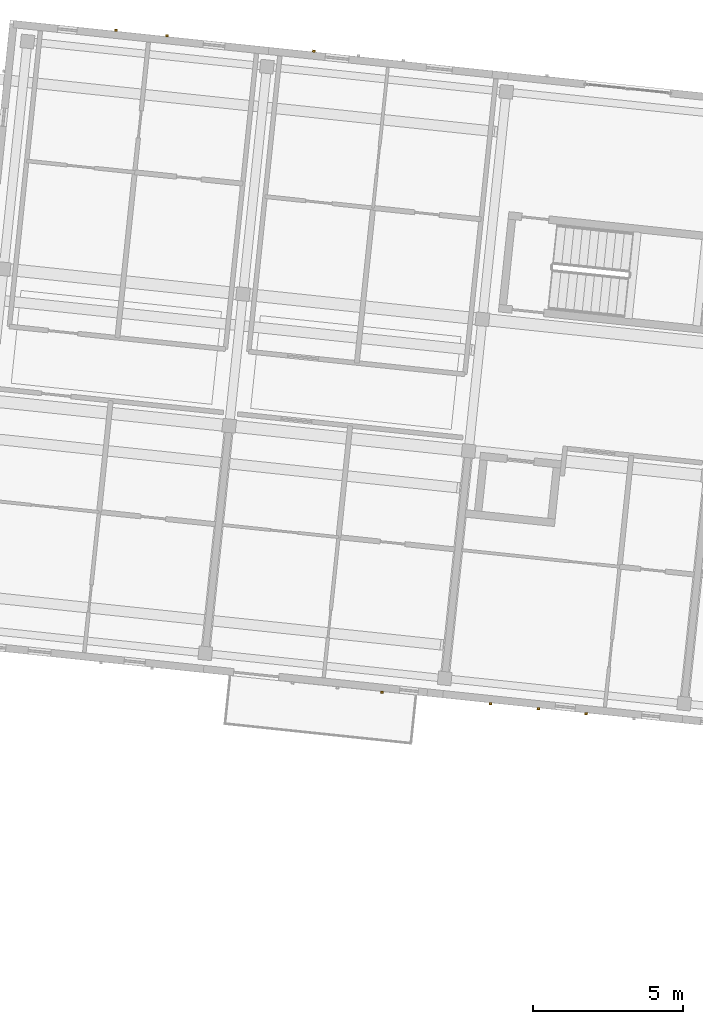
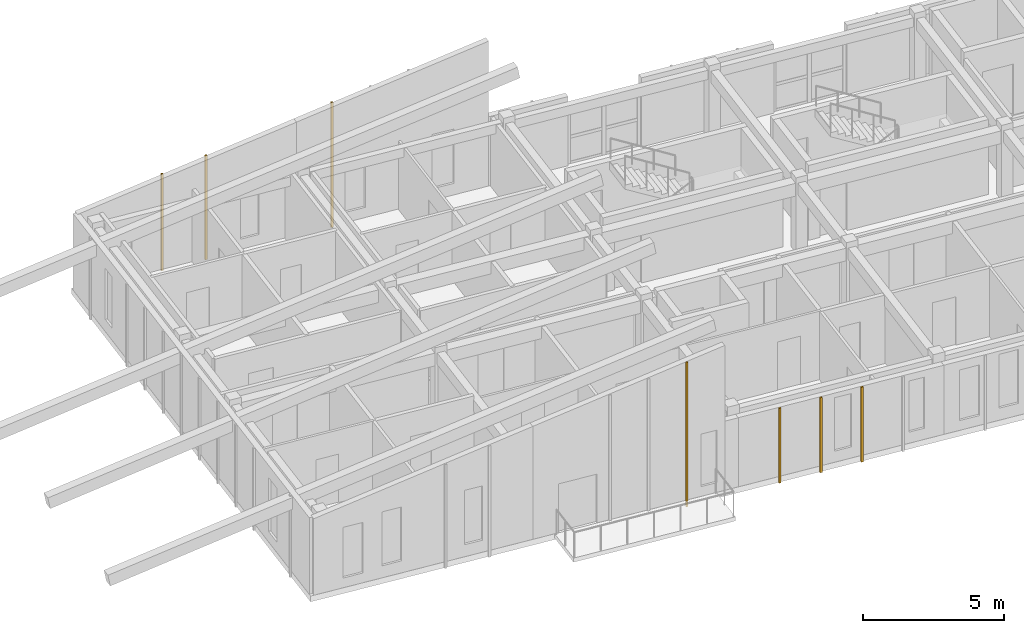
# One storey, part 30 of 34: 7 coverings.
"""IFC4 building model written with IfcOpenShell, lengths in metres."""

from ifc_helpers import new_model, si_unit, direction, frame, origin, origin_2d, place, context, subcontext, project, spatial, rectangle, extrude, material, layer, layer_set, type_object, element, save


model = new_model("IFC4")

# Units and contexts
model_context = context("Model", 3, precision=1e-05, world=origin(), true_north=direction((0.0, 1.0)))
body_context = subcontext(model_context, "Body", "Model", "MODEL_VIEW")
ifc_project = project(units=[si_unit("LENGTHUNIT", "METRE"), si_unit("AREAUNIT", "SQUARE_METRE"), si_unit("VOLUMEUNIT", "CUBIC_METRE"), si_unit("PLANEANGLEUNIT", "RADIAN"), si_unit("MASSUNIT", "GRAM", prefix="KILO")], contexts=[model_context])

# Site, building, storey
site_placement = place(None, origin())
site = spatial("IfcSite", under=ifc_project, at=site_placement, CompositionType="ELEMENT")
building_placement = place(site_placement, origin())
building = spatial("IfcBuilding", under=site, at=building_placement, Name="Kestramere Prow Commons", CompositionType="ELEMENT")
storey_placement = place(building_placement, frame((0.0, 0.0, 34.39990234375)))
storey = spatial("IfcBuildingStorey", under=building, at=storey_placement, Name="L10", CompositionType="ELEMENT", Elevation=34.39990234375)

# Coverings
ifc_material = material(Name="Weathered Zinc-Titanium Standing-Seam Cladding")
ifc_layer = layer(ifc_material, 0.074951171875)
ifc_layer_set = layer_set([ifc_layer], Name="Weathered Zinc-Titanium Standing-Seam Cladding")
covering_type = type_object("IfcCoveringType", Name="COV-CLAD-SEAM", PredefinedType="CLADDING", material=ifc_layer_set)
covering_1_placement = place(storey_placement, frame((131.788818359375, 91.82861328125, -0.25), z_axis=(0.0, 0.0, 1.0), x_axis=(-0.994521895368, 0.104528463268, 0.0)))
element("IfcCovering", 1, at=covering_1_placement, inside=storey, type_object=covering_type, Name="EW-B-L10-S-2 Standing-Seam Rib 1", PredefinedType="CLADDING", context=body_context, shape_type="SweptSolid", body=[
    extrude(rectangle(XDim=0.0849609375, YDim=0.06494140625, at=origin_2d()), origin(), (0.0, 0.0, 1.0), 6.26025390625),
])
for number, where, z_axis, x_axis, name in (
    (2, (138.5712890625, 91.11572265625, -0.25), (0.0, 0.0, 1.0), (-0.994521895368, 0.104528463268, 0.0), "EW-B-L10-S-3 Standing-Seam Rib 2"),
    (3, (136.980224609375, 91.282958984375, -0.25), (0.0, 0.0, 1.0), (-0.994521895368, 0.104528463268, 0.0), "EW-B-L10-S-3 Standing-Seam Rib 3"),
    (4, (135.388916015625, 91.4501953125, -0.25), (0.0, 0.0, 1.0), (-0.994521895368, 0.104528463268, 0.0), "EW-B-L10-S-3 Standing-Seam Rib 4"),
):
    element("IfcCovering", number, at=place(storey_placement, frame(where, z_axis=z_axis, x_axis=x_axis)), inside=storey, type_object=covering_type, Name=name, PredefinedType="CLADDING", context=body_context, shape_type="SweptSolid", body=[
        extrude(rectangle(XDim=0.0849609375, YDim=0.06494140625, at=origin_2d()), origin(), (0.0, 0.0, 1.0), 3.25),
    ])
covering_2_placement = place(storey_placement, frame((122.945068359375, 113.82861328125, -0.25), z_axis=(0.0, 0.0, 1.0), x_axis=(0.994521895368, -0.104528463268, 0.0)))
element("IfcCovering", 5, at=covering_2_placement, inside=storey, type_object=covering_type, Name="EW-B-L10-N-1 Standing-Seam Rib 2", PredefinedType="CLADDING", context=body_context, shape_type="SweptSolid", body=[
    extrude(rectangle(XDim=0.0849609375, YDim=0.06494140625, at=origin_2d()), origin(), (0.0, 0.0, 1.0), 4.201416015625),
])
covering_3_placement = place(storey_placement, frame((124.640625, 113.650390625, -0.25), z_axis=(0.0, 0.0, 1.0), x_axis=(0.994521895368, -0.104528463268, 0.0)))
element("IfcCovering", 6, at=covering_3_placement, inside=storey, type_object=covering_type, Name="EW-B-L10-N-1 Standing-Seam Rib 3", PredefinedType="CLADDING", context=body_context, shape_type="SweptSolid", body=[
    extrude(rectangle(XDim=0.0849609375, YDim=0.06494140625, at=origin_2d()), origin(), (0.0, 0.0, 1.0), 4.517822265625),
])
covering_4_placement = place(storey_placement, frame((129.518798828125, 113.1376953125, -0.25), z_axis=(0.0, 0.0, 1.0), x_axis=(0.994521895368, -0.104528463268, 0.0)))
element("IfcCovering", 7, at=covering_4_placement, inside=storey, type_object=covering_type, Name="EW-B-L10-N-2 Standing-Seam Rib 1", PredefinedType="CLADDING", context=body_context, shape_type="SweptSolid", body=[
    extrude(rectangle(XDim=0.0849609375, YDim=0.06494140625, at=origin_2d()), origin(), (0.0, 0.0, 1.0), 5.427978515625),
])

save(model, "model.ifc")
